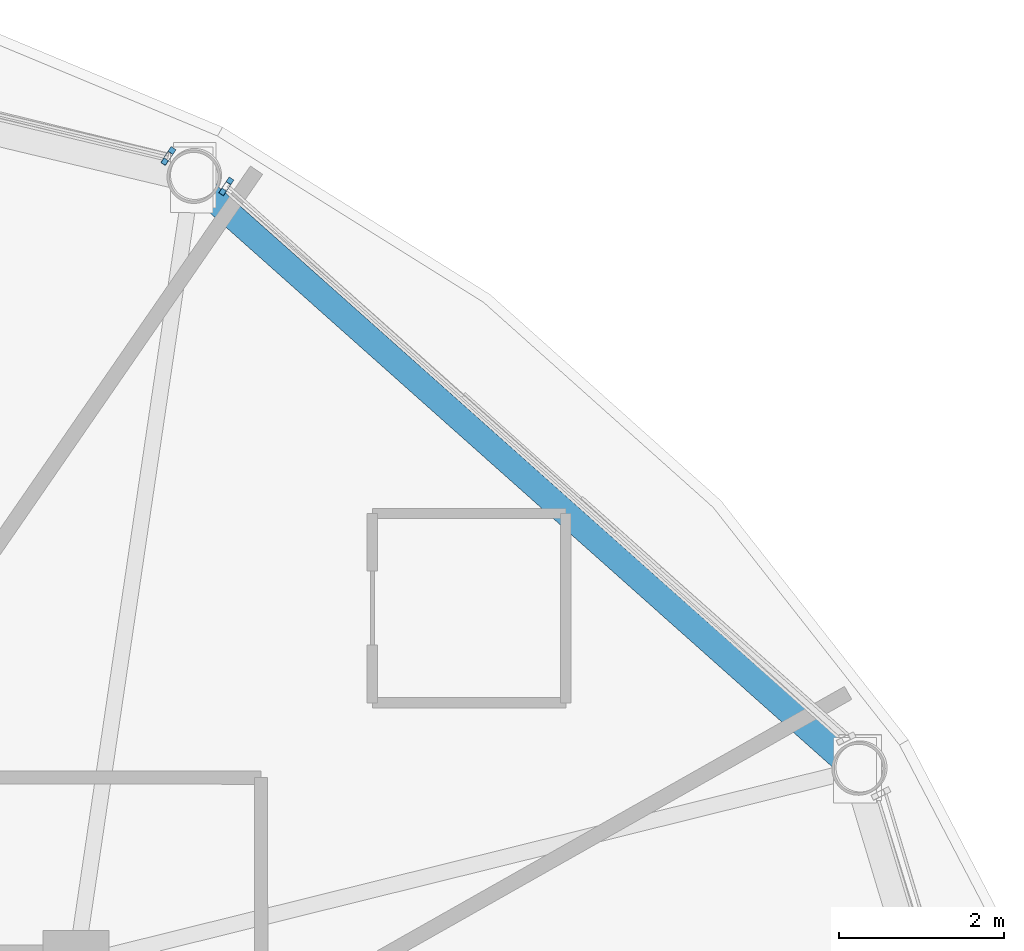
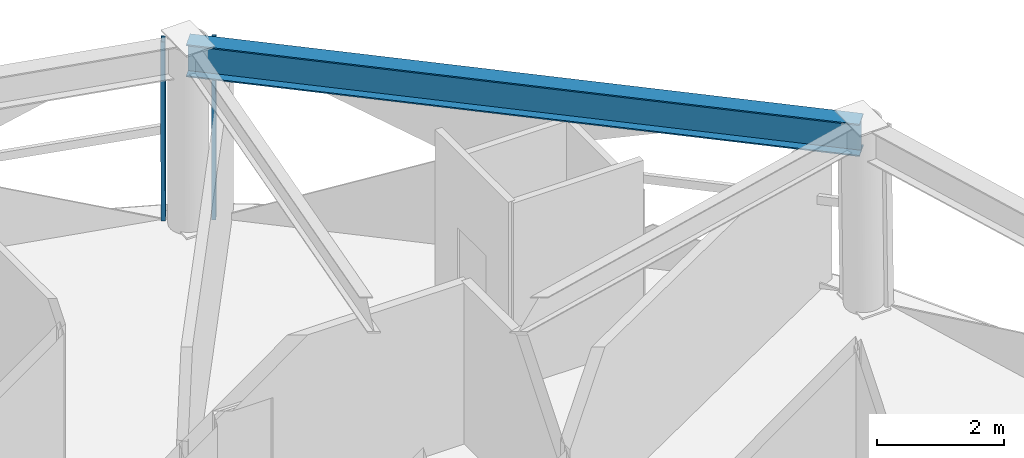
# One storey, part 8 of 18: 2 members, 1 beam, 2 elements without a shape of their own.
"""IFC4 building model written with IfcOpenShell, lengths in metres."""

from ifc_helpers import new_model, si_unit, direction, frame, origin, origin_2d, place, context, subcontext, project, spatial, hollow_rectangle, i_section, extrude, material, layer, layer_set, material_profile, profile_set, type_object, element, aggregate, save


model = new_model("IFC4")

# Units and contexts
model_context = context("Model", 3, precision=1e-05, world=origin(), true_north=direction((0.0, 1.0)))
body_context = subcontext(model_context, "Body", "Model", "MODEL_VIEW")
ifc_project = project(units=[si_unit("LENGTHUNIT", "METRE"), si_unit("AREAUNIT", "SQUARE_METRE"), si_unit("VOLUMEUNIT", "CUBIC_METRE"), si_unit("PLANEANGLEUNIT", "RADIAN"), si_unit("MASSUNIT", "GRAM", prefix="KILO")], contexts=[model_context])

# Site, building, storey
site_placement = place(None, origin())
site = spatial("IfcSite", under=ifc_project, at=site_placement, CompositionType="ELEMENT")
building_placement = place(site_placement, origin())
building = spatial("IfcBuilding", under=site, at=building_placement, Name="Vantalir Tower", CompositionType="ELEMENT")
storey_placement = place(building_placement, frame((0.0, 0.0, 216.14990234375)))
storey = spatial("IfcBuildingStorey", under=building, at=storey_placement, Name="L54", CompositionType="ELEMENT", Elevation=216.14990234375)

# Beam
ifc_material_1 = material(Name="Steel S460", Category="steel")
ifc_material_profile_1 = material_profile(ifc_material_1, i_section(OverallWidth=0.306884765625, OverallDepth=0.6201171875, WebThickness=0.01416015625, FlangeThickness=0.023681640625, at=origin_2d()), Name="Steel S460")
ifc_profile_set_1 = profile_set([ifc_material_profile_1], Name="Steel S460")
beam_type = type_object("IfcBeamType", Name="BM-RG-610x305", PredefinedType="USERDEFINED", material=ifc_profile_set_1)
beam_placement = place(storey_placement, frame((50.56396484375, 34.798095703125, 3.260009765625), z_axis=(-0.746934658409, 0.664897447782, 0.0), x_axis=(-0.664897447782, -0.746934658409, 0.0)))
element("IfcBeam", 1, at=beam_placement, inside=storey, type_object=beam_type, Name="L54 Circumferential Ring Girder 02", ObjectType="GIRDER", PredefinedType="USERDEFINED", context=body_context, shape_type="SweptSolid", body=[
    extrude(i_section(OverallWidth=0.306884765625, OverallDepth=0.6201171875, WebThickness=0.01416015625, FlangeThickness=0.023681640625, at=origin_2d()), origin(), (0.0, 0.0, 1.0), 10.787841796875),
])

# Curtain wall, member
ifc_material_2 = material(Name="Champagne-silver PVDF aluminium and double-silver Low-E glass", Category="aluminium")
ifc_layer = layer(ifc_material_2, 0.2099609375)
ifc_layer_set = layer_set([ifc_layer], Name="Champagne-silver PVDF aluminium and double-silver Low-E glass")
curtain_wall_type = type_object("IfcCurtainWallType", Name="CW-DIAMOND-Z3", PredefinedType="USERDEFINED", material=ifc_layer_set)
curtain_wall_1_placement = place(storey_placement, origin())
curtain_wall_1 = element("IfcCurtainWall", 2, at=curtain_wall_1_placement, inside=storey, type_object=curtain_wall_type, Name="L54 Quilted Pyramid-Diamond Curtain Wall S02", ObjectType="UNITISED CURTAIN WALL", PredefinedType="USERDEFINED")
ifc_material_3 = material(Name="Champagne-silver PVDF aluminium 6063-T6", Category="aluminium")
ifc_material_profile_2 = material_profile(ifc_material_3, hollow_rectangle(XDim=0.070068359375, YDim=0.1650390625, WallThickness=0.00390625, at=origin_2d()), Name="Champagne-silver PVDF aluminium 6063-T6")
ifc_profile_set_2 = profile_set([ifc_material_profile_2], Name="Champagne-silver PVDF aluminium 6063-T6")
member_type = type_object("IfcMemberType", Name="CWM-165x70", PredefinedType="MULLION", material=ifc_profile_set_2)
member_1_placement = place(storey_placement, frame((42.945068359375, 41.91796875, 0.045166015625), z_axis=(-0.010661691426, -0.016062679846, 0.999814142054), x_axis=(0.833168073273, -0.553019856496, 0.0)))
member_1 = element("IfcMember", 3, at=member_1_placement, type_object=member_type, Name="CW-L54-S02 Mullion 2", PredefinedType="MULLION", context=body_context, shape_type="SweptSolid", body=[
    extrude(hollow_rectangle(XDim=0.070068359375, YDim=0.1650390625, WallThickness=0.00390625, at=origin_2d()), origin(), (0.0, 0.0, 1.0), 3.480712890625),
])
aggregate(curtain_wall_1, [member_1])

curtain_wall_2_placement = place(storey_placement, origin())
curtain_wall_2 = element("IfcCurtainWall", 4, at=curtain_wall_2_placement, inside=storey, type_object=curtain_wall_type, Name="L54 Quilted Pyramid-Diamond Curtain Wall S03", ObjectType="UNITISED CURTAIN WALL", PredefinedType="USERDEFINED")
member_2_placement = place(storey_placement, frame((42.239990234375, 42.285888671875, 0.045166015625), z_axis=(-0.010661691426, -0.016062679846, 0.999814142054), x_axis=(0.833168073273, -0.553019856496, 0.0)))
member_2 = element("IfcMember", 5, at=member_2_placement, type_object=member_type, Name="CW-L54-S03 Mullion 1", PredefinedType="MULLION", context=body_context, shape_type="SweptSolid", body=[
    extrude(hollow_rectangle(XDim=0.070068359375, YDim=0.1650390625, WallThickness=0.00390625, at=origin_2d()), origin(), (0.0, 0.0, 1.0), 3.480712890625),
])
aggregate(curtain_wall_2, [member_2])

save(model, "model.ifc")
